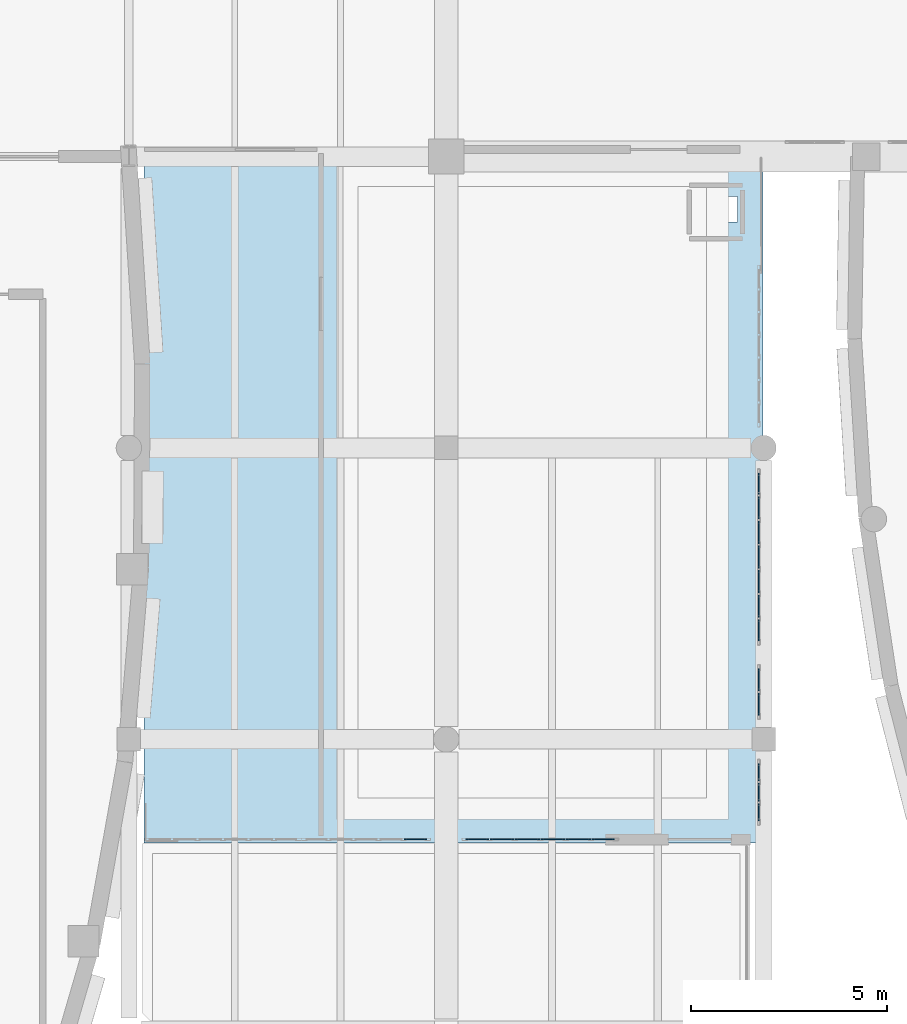
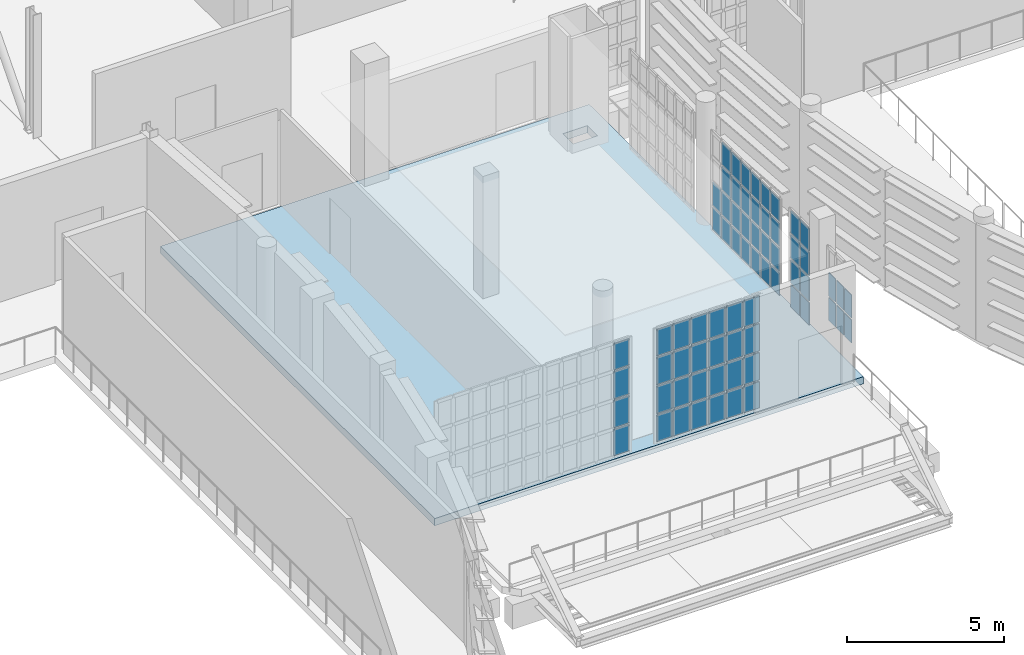
# One storey, part 73 of 104: 68 plates, 1 slab, 5 elements without a shape of their own.
"""IFC4 building model written with IfcOpenShell, lengths in metres."""

from ifc_helpers import new_model, si_unit, direction, frame, origin, origin_2d, place, context, subcontext, project, spatial, polyline, rectangle, outline, extrude, material, layer, layer_set, type_object, element, aggregate, save


model = new_model("IFC4")

# Units and contexts
model_context = context("Model", 3, precision=1e-05, world=origin(), true_north=direction((0.0, 1.0)))
body_context = subcontext(model_context, "Body", "Model", "MODEL_VIEW")
ifc_project = project(units=[si_unit("LENGTHUNIT", "METRE"), si_unit("AREAUNIT", "SQUARE_METRE"), si_unit("VOLUMEUNIT", "CUBIC_METRE"), si_unit("PLANEANGLEUNIT", "RADIAN"), si_unit("MASSUNIT", "GRAM", prefix="KILO")], contexts=[model_context])

# Site, building, storey
site_placement = place(None, origin())
site = spatial("IfcSite", under=ifc_project, at=site_placement, CompositionType="ELEMENT")
building_placement = place(site_placement, origin())
building = spatial("IfcBuilding", under=site, at=building_placement, Name="Kaelora Sail Theatre", CompositionType="ELEMENT")
storey_placement = place(building_placement, frame((0.0, 0.0, 5.39990234375)))
storey = spatial("IfcBuildingStorey", under=building, at=storey_placement, Name="L01", CompositionType="ELEMENT", Elevation=5.39990234375)

# Curtain wall, plates
ifc_material_1 = material(Name="Anodised aluminium and solar-control low-E IGU", Category="aluminium")
curtain_wall_type = type_object("IfcCurtainWallType", Name="ARC-CW-CW-FOY2", PredefinedType="NOTDEFINED", material=ifc_material_1)
curtain_wall_1_placement = place(storey_placement, origin())
curtain_wall_1 = element("IfcCurtainWall", 1, at=curtain_wall_1_placement, inside=storey, type_object=curtain_wall_type, Name="West Interstitial Sail Foyer Curtain Wall L01-02", PredefinedType="NOTDEFINED")
ifc_material_2 = material(Name="Solar-control laminated low-E glass", Category="glass")
ifc_layer_1 = layer(ifc_material_2, 0.031982421875)
ifc_layer_set_1 = layer_set([ifc_layer_1], Name="Solar-control laminated low-E glass")
plate_type = type_object("IfcPlateType", Name="ARC-CW-PNL", PredefinedType="CURTAIN_PANEL", material=ifc_layer_set_1)
plate_1_placement = place(storey_placement, frame((65.514892578125, 43.590087890625, 0.0703125), z_axis=(0.0, 0.0, 1.0), x_axis=(1.0, 0.0, 0.0)))
plate_1 = element("IfcPlate", 2, at=plate_1_placement, type_object=plate_type, Name="CW-FOY2 panel 5.1", PredefinedType="CURTAIN_PANEL", context=body_context, shape_type="SweptSolid", body=[
    extrude(rectangle(XDim=0.550048828125, YDim=0.031982421875, at=origin_2d()), origin(), (0.0, 0.0, 1.0), 1.021240234375),
])
plate_2_placement = place(storey_placement, frame((65.514892578125, 43.590087890625, 1.161376953125), z_axis=(0.0, 0.0, 1.0), x_axis=(1.0, 0.0, 0.0)))
plate_2 = element("IfcPlate", 3, at=plate_2_placement, type_object=plate_type, Name="CW-FOY2 panel 5.2", PredefinedType="CURTAIN_PANEL", context=body_context, shape_type="SweptSolid", body=[
    extrude(rectangle(XDim=0.550048828125, YDim=0.031982421875, at=origin_2d()), origin(), (0.0, 0.0, 1.0), 1.05615234375),
])
plate_3_placement = place(storey_placement, frame((65.514892578125, 43.590087890625, 2.28759765625), z_axis=(0.0, 0.0, 1.0), x_axis=(1.0, 0.0, 0.0)))
plate_3 = element("IfcPlate", 4, at=plate_3_placement, type_object=plate_type, Name="CW-FOY2 panel 5.3", PredefinedType="CURTAIN_PANEL", context=body_context, shape_type="SweptSolid", body=[
    extrude(rectangle(XDim=0.550048828125, YDim=0.031982421875, at=origin_2d()), origin(), (0.0, 0.0, 1.0), 1.056396484375),
])
plate_4_placement = place(storey_placement, frame((65.514892578125, 43.590087890625, 3.4140625), z_axis=(0.0, 0.0, 1.0), x_axis=(1.0, 0.0, 0.0)))
plate_4 = element("IfcPlate", 5, at=plate_4_placement, type_object=plate_type, Name="CW-FOY2 panel 5.4", PredefinedType="CURTAIN_PANEL", context=body_context, shape_type="SweptSolid", body=[
    extrude(rectangle(XDim=0.550048828125, YDim=0.031982421875, at=origin_2d()), origin(), (0.0, 0.0, 1.0), 1.021240234375),
])
aggregate(curtain_wall_1, [plate_1, plate_2, plate_3, plate_4])

curtain_wall_2_placement = place(storey_placement, origin())
curtain_wall_2 = element("IfcCurtainWall", 6, at=curtain_wall_2_placement, inside=storey, type_object=curtain_wall_type, Name="West Interstitial Sail Foyer Curtain Wall L01-03", PredefinedType="NOTDEFINED")
plate_5_placement = place(storey_placement, frame((67.090087890625, 43.590087890625, 0.0703125), z_axis=(0.0, 0.0, 1.0), x_axis=(1.0, 0.0, 0.0)))
plate_5 = element("IfcPlate", 7, at=plate_5_placement, type_object=plate_type, Name="CW-FOY2 panel 1.1", PredefinedType="CURTAIN_PANEL", context=body_context, shape_type="SweptSolid", body=[
    extrude(rectangle(XDim=0.56005859375, YDim=0.031982421875, at=origin_2d()), origin(), (0.0, 0.0, 1.0), 1.021240234375),
])
plate_6_placement = place(storey_placement, frame((67.090087890625, 43.590087890625, 1.161376953125), z_axis=(0.0, 0.0, 1.0), x_axis=(1.0, 0.0, 0.0)))
plate_6 = element("IfcPlate", 8, at=plate_6_placement, type_object=plate_type, Name="CW-FOY2 panel 1.2", PredefinedType="CURTAIN_PANEL", context=body_context, shape_type="SweptSolid", body=[
    extrude(rectangle(XDim=0.56005859375, YDim=0.031982421875, at=origin_2d()), origin(), (0.0, 0.0, 1.0), 1.05615234375),
])
plate_7_placement = place(storey_placement, frame((67.090087890625, 43.590087890625, 2.28759765625), z_axis=(0.0, 0.0, 1.0), x_axis=(1.0, 0.0, 0.0)))
plate_7 = element("IfcPlate", 9, at=plate_7_placement, type_object=plate_type, Name="CW-FOY2 panel 1.3", PredefinedType="CURTAIN_PANEL", context=body_context, shape_type="SweptSolid", body=[
    extrude(rectangle(XDim=0.56005859375, YDim=0.031982421875, at=origin_2d()), origin(), (0.0, 0.0, 1.0), 1.056396484375),
])
plate_8_placement = place(storey_placement, frame((67.090087890625, 43.590087890625, 3.4140625), z_axis=(0.0, 0.0, 1.0), x_axis=(1.0, 0.0, 0.0)))
plate_8 = element("IfcPlate", 10, at=plate_8_placement, type_object=plate_type, Name="CW-FOY2 panel 1.4", PredefinedType="CURTAIN_PANEL", context=body_context, shape_type="SweptSolid", body=[
    extrude(rectangle(XDim=0.56005859375, YDim=0.031982421875, at=origin_2d()), origin(), (0.0, 0.0, 1.0), 1.021240234375),
])
plate_9_placement = place(storey_placement, frame((67.72509765625, 43.590087890625, 0.0703125), z_axis=(0.0, 0.0, 1.0), x_axis=(1.0, 0.0, 0.0)))
plate_9 = element("IfcPlate", 11, at=plate_9_placement, type_object=plate_type, Name="CW-FOY2 panel 2.1", PredefinedType="CURTAIN_PANEL", context=body_context, shape_type="SweptSolid", body=[
    extrude(rectangle(XDim=0.590087890625, YDim=0.031982421875, at=origin_2d()), origin(), (0.0, 0.0, 1.0), 1.021240234375),
])
plate_10_placement = place(storey_placement, frame((67.72509765625, 43.590087890625, 1.161376953125), z_axis=(0.0, 0.0, 1.0), x_axis=(1.0, 0.0, 0.0)))
plate_10 = element("IfcPlate", 12, at=plate_10_placement, type_object=plate_type, Name="CW-FOY2 panel 2.2", PredefinedType="CURTAIN_PANEL", context=body_context, shape_type="SweptSolid", body=[
    extrude(rectangle(XDim=0.590087890625, YDim=0.031982421875, at=origin_2d()), origin(), (0.0, 0.0, 1.0), 1.05615234375),
])
plate_11_placement = place(storey_placement, frame((67.72509765625, 43.590087890625, 2.28759765625), z_axis=(0.0, 0.0, 1.0), x_axis=(1.0, 0.0, 0.0)))
plate_11 = element("IfcPlate", 13, at=plate_11_placement, type_object=plate_type, Name="CW-FOY2 panel 2.3", PredefinedType="CURTAIN_PANEL", context=body_context, shape_type="SweptSolid", body=[
    extrude(rectangle(XDim=0.590087890625, YDim=0.031982421875, at=origin_2d()), origin(), (0.0, 0.0, 1.0), 1.056396484375),
])
plate_12_placement = place(storey_placement, frame((67.72509765625, 43.590087890625, 3.4140625), z_axis=(0.0, 0.0, 1.0), x_axis=(1.0, 0.0, 0.0)))
plate_12 = element("IfcPlate", 14, at=plate_12_placement, type_object=plate_type, Name="CW-FOY2 panel 2.4", PredefinedType="CURTAIN_PANEL", context=body_context, shape_type="SweptSolid", body=[
    extrude(rectangle(XDim=0.590087890625, YDim=0.031982421875, at=origin_2d()), origin(), (0.0, 0.0, 1.0), 1.021240234375),
])
plate_13_placement = place(storey_placement, frame((68.375, 43.590087890625, 0.0703125), z_axis=(0.0, 0.0, 1.0), x_axis=(1.0, 0.0, 0.0)))
plate_13 = element("IfcPlate", 15, at=plate_13_placement, type_object=plate_type, Name="CW-FOY2 panel 3.1", PredefinedType="CURTAIN_PANEL", context=body_context, shape_type="SweptSolid", body=[
    extrude(rectangle(XDim=0.590087890625, YDim=0.031982421875, at=origin_2d()), origin(), (0.0, 0.0, 1.0), 1.021240234375),
])
plate_14_placement = place(storey_placement, frame((68.375, 43.590087890625, 1.161376953125), z_axis=(0.0, 0.0, 1.0), x_axis=(1.0, 0.0, 0.0)))
plate_14 = element("IfcPlate", 16, at=plate_14_placement, type_object=plate_type, Name="CW-FOY2 panel 3.2", PredefinedType="CURTAIN_PANEL", context=body_context, shape_type="SweptSolid", body=[
    extrude(rectangle(XDim=0.590087890625, YDim=0.031982421875, at=origin_2d()), origin(), (0.0, 0.0, 1.0), 1.05615234375),
])
plate_15_placement = place(storey_placement, frame((68.375, 43.590087890625, 2.28759765625), z_axis=(0.0, 0.0, 1.0), x_axis=(1.0, 0.0, 0.0)))
plate_15 = element("IfcPlate", 17, at=plate_15_placement, type_object=plate_type, Name="CW-FOY2 panel 3.3", PredefinedType="CURTAIN_PANEL", context=body_context, shape_type="SweptSolid", body=[
    extrude(rectangle(XDim=0.590087890625, YDim=0.031982421875, at=origin_2d()), origin(), (0.0, 0.0, 1.0), 1.056396484375),
])
plate_16_placement = place(storey_placement, frame((68.375, 43.590087890625, 3.4140625), z_axis=(0.0, 0.0, 1.0), x_axis=(1.0, 0.0, 0.0)))
plate_16 = element("IfcPlate", 18, at=plate_16_placement, type_object=plate_type, Name="CW-FOY2 panel 3.4", PredefinedType="CURTAIN_PANEL", context=body_context, shape_type="SweptSolid", body=[
    extrude(rectangle(XDim=0.590087890625, YDim=0.031982421875, at=origin_2d()), origin(), (0.0, 0.0, 1.0), 1.021240234375),
])
plate_17_placement = place(storey_placement, frame((69.02490234375, 43.590087890625, 0.0703125), z_axis=(0.0, 0.0, 1.0), x_axis=(1.0, 0.0, 0.0)))
plate_17 = element("IfcPlate", 19, at=plate_17_placement, type_object=plate_type, Name="CW-FOY2 panel 4.1", PredefinedType="CURTAIN_PANEL", context=body_context, shape_type="SweptSolid", body=[
    extrude(rectangle(XDim=0.590087890625, YDim=0.031982421875, at=origin_2d()), origin(), (0.0, 0.0, 1.0), 1.021240234375),
])
plate_18_placement = place(storey_placement, frame((69.02490234375, 43.590087890625, 1.161376953125), z_axis=(0.0, 0.0, 1.0), x_axis=(1.0, 0.0, 0.0)))
plate_18 = element("IfcPlate", 20, at=plate_18_placement, type_object=plate_type, Name="CW-FOY2 panel 4.2", PredefinedType="CURTAIN_PANEL", context=body_context, shape_type="SweptSolid", body=[
    extrude(rectangle(XDim=0.590087890625, YDim=0.031982421875, at=origin_2d()), origin(), (0.0, 0.0, 1.0), 1.05615234375),
])
plate_19_placement = place(storey_placement, frame((69.02490234375, 43.590087890625, 2.28759765625), z_axis=(0.0, 0.0, 1.0), x_axis=(1.0, 0.0, 0.0)))
plate_19 = element("IfcPlate", 21, at=plate_19_placement, type_object=plate_type, Name="CW-FOY2 panel 4.3", PredefinedType="CURTAIN_PANEL", context=body_context, shape_type="SweptSolid", body=[
    extrude(rectangle(XDim=0.590087890625, YDim=0.031982421875, at=origin_2d()), origin(), (0.0, 0.0, 1.0), 1.056396484375),
])
plate_20_placement = place(storey_placement, frame((69.02490234375, 43.590087890625, 3.4140625), z_axis=(0.0, 0.0, 1.0), x_axis=(1.0, 0.0, 0.0)))
plate_20 = element("IfcPlate", 22, at=plate_20_placement, type_object=plate_type, Name="CW-FOY2 panel 4.4", PredefinedType="CURTAIN_PANEL", context=body_context, shape_type="SweptSolid", body=[
    extrude(rectangle(XDim=0.590087890625, YDim=0.031982421875, at=origin_2d()), origin(), (0.0, 0.0, 1.0), 1.021240234375),
])
plate_21_placement = place(storey_placement, frame((69.675048828125, 43.590087890625, 0.0703125), z_axis=(0.0, 0.0, 1.0), x_axis=(1.0, 0.0, 0.0)))
plate_21 = element("IfcPlate", 23, at=plate_21_placement, type_object=plate_type, Name="CW-FOY2 panel 5.1", PredefinedType="CURTAIN_PANEL", context=body_context, shape_type="SweptSolid", body=[
    extrude(rectangle(XDim=0.590087890625, YDim=0.031982421875, at=origin_2d()), origin(), (0.0, 0.0, 1.0), 1.021240234375),
])
plate_22_placement = place(storey_placement, frame((69.675048828125, 43.590087890625, 1.161376953125), z_axis=(0.0, 0.0, 1.0), x_axis=(1.0, 0.0, 0.0)))
plate_22 = element("IfcPlate", 24, at=plate_22_placement, type_object=plate_type, Name="CW-FOY2 panel 5.2", PredefinedType="CURTAIN_PANEL", context=body_context, shape_type="SweptSolid", body=[
    extrude(rectangle(XDim=0.590087890625, YDim=0.031982421875, at=origin_2d()), origin(), (0.0, 0.0, 1.0), 1.05615234375),
])
plate_23_placement = place(storey_placement, frame((69.675048828125, 43.590087890625, 2.28759765625), z_axis=(0.0, 0.0, 1.0), x_axis=(1.0, 0.0, 0.0)))
plate_23 = element("IfcPlate", 25, at=plate_23_placement, type_object=plate_type, Name="CW-FOY2 panel 5.3", PredefinedType="CURTAIN_PANEL", context=body_context, shape_type="SweptSolid", body=[
    extrude(rectangle(XDim=0.590087890625, YDim=0.031982421875, at=origin_2d()), origin(), (0.0, 0.0, 1.0), 1.056396484375),
])
plate_24_placement = place(storey_placement, frame((69.675048828125, 43.590087890625, 3.4140625), z_axis=(0.0, 0.0, 1.0), x_axis=(1.0, 0.0, 0.0)))
plate_24 = element("IfcPlate", 26, at=plate_24_placement, type_object=plate_type, Name="CW-FOY2 panel 5.4", PredefinedType="CURTAIN_PANEL", context=body_context, shape_type="SweptSolid", body=[
    extrude(rectangle(XDim=0.590087890625, YDim=0.031982421875, at=origin_2d()), origin(), (0.0, 0.0, 1.0), 1.021240234375),
])
plate_25_placement = place(storey_placement, frame((70.31005859375, 43.590087890625, 0.0703125), z_axis=(0.0, 0.0, 1.0), x_axis=(1.0, 0.0, 0.0)))
plate_25 = element("IfcPlate", 27, at=plate_25_placement, type_object=plate_type, Name="CW-FOY2 panel 6.1", PredefinedType="CURTAIN_PANEL", context=body_context, shape_type="SweptSolid", body=[
    extrude(rectangle(XDim=0.56005859375, YDim=0.031982421875, at=origin_2d()), origin(), (0.0, 0.0, 1.0), 1.021240234375),
])
plate_26_placement = place(storey_placement, frame((70.31005859375, 43.590087890625, 1.161376953125), z_axis=(0.0, 0.0, 1.0), x_axis=(1.0, 0.0, 0.0)))
plate_26 = element("IfcPlate", 28, at=plate_26_placement, type_object=plate_type, Name="CW-FOY2 panel 6.2", PredefinedType="CURTAIN_PANEL", context=body_context, shape_type="SweptSolid", body=[
    extrude(rectangle(XDim=0.56005859375, YDim=0.031982421875, at=origin_2d()), origin(), (0.0, 0.0, 1.0), 1.05615234375),
])
plate_27_placement = place(storey_placement, frame((70.31005859375, 43.590087890625, 2.28759765625), z_axis=(0.0, 0.0, 1.0), x_axis=(1.0, 0.0, 0.0)))
plate_27 = element("IfcPlate", 29, at=plate_27_placement, type_object=plate_type, Name="CW-FOY2 panel 6.3", PredefinedType="CURTAIN_PANEL", context=body_context, shape_type="SweptSolid", body=[
    extrude(rectangle(XDim=0.56005859375, YDim=0.031982421875, at=origin_2d()), origin(), (0.0, 0.0, 1.0), 1.056396484375),
])
plate_28_placement = place(storey_placement, frame((70.31005859375, 43.590087890625, 3.4140625), z_axis=(0.0, 0.0, 1.0), x_axis=(1.0, 0.0, 0.0)))
plate_28 = element("IfcPlate", 30, at=plate_28_placement, type_object=plate_type, Name="CW-FOY2 panel 6.4", PredefinedType="CURTAIN_PANEL", context=body_context, shape_type="SweptSolid", body=[
    extrude(rectangle(XDim=0.56005859375, YDim=0.031982421875, at=origin_2d()), origin(), (0.0, 0.0, 1.0), 1.021240234375),
])
aggregate(curtain_wall_2, [plate_5, plate_6, plate_7, plate_8, plate_9, plate_10, plate_11, plate_12, plate_13, plate_14, plate_15, plate_16, plate_17, plate_18, plate_19, plate_20, plate_21, plate_22, plate_23, plate_24, plate_25, plate_26, plate_27, plate_28])

curtain_wall_3_placement = place(storey_placement, origin())
curtain_wall_3 = element("IfcCurtainWall", 31, at=curtain_wall_3_placement, inside=storey, type_object=curtain_wall_type, Name="West Interstitial Foyer East Glazed Return L01-01", PredefinedType="NOTDEFINED")
plate_29_placement = place(storey_placement, frame((74.280029296875, 44.2783203125, 1.0068359375), z_axis=(0.0, 0.0, 1.0), x_axis=(0.0, 1.0, 0.0)))
plate_29 = element("IfcPlate", 32, at=plate_29_placement, type_object=plate_type, Name="CW-FOY2 panel 1.2", PredefinedType="CURTAIN_PANEL", context=body_context, shape_type="SweptSolid", body=[
    extrude(rectangle(XDim=0.436767578125, YDim=0.031982421875, at=origin_2d()), origin(), (0.0, 0.0, 1.0), 0.901611328125),
])
plate_30_placement = place(storey_placement, frame((74.280029296875, 44.2783203125, 1.978515625), z_axis=(0.0, 0.0, 1.0), x_axis=(0.0, 1.0, 0.0)))
plate_30 = element("IfcPlate", 33, at=plate_30_placement, type_object=plate_type, Name="CW-FOY2 panel 1.3", PredefinedType="CURTAIN_PANEL", context=body_context, shape_type="SweptSolid", body=[
    extrude(rectangle(XDim=0.436767578125, YDim=0.031982421875, at=origin_2d()), origin(), (0.0, 0.0, 1.0), 0.90185546875),
])
plate_31_placement = place(storey_placement, frame((74.280029296875, 44.7900390625, 1.0068359375), z_axis=(0.0, 0.0, 1.0), x_axis=(0.0, 1.0, 0.0)))
plate_31 = element("IfcPlate", 34, at=plate_31_placement, type_object=plate_type, Name="CW-FOY2 panel 2.2", PredefinedType="CURTAIN_PANEL", context=body_context, shape_type="SweptSolid", body=[
    extrude(rectangle(XDim=0.466552734375, YDim=0.031982421875, at=origin_2d()), origin(), (0.0, 0.0, 1.0), 0.901611328125),
])
plate_32_placement = place(storey_placement, frame((74.280029296875, 44.7900390625, 1.978515625), z_axis=(0.0, 0.0, 1.0), x_axis=(0.0, 1.0, 0.0)))
plate_32 = element("IfcPlate", 35, at=plate_32_placement, type_object=plate_type, Name="CW-FOY2 panel 2.3", PredefinedType="CURTAIN_PANEL", context=body_context, shape_type="SweptSolid", body=[
    extrude(rectangle(XDim=0.466552734375, YDim=0.031982421875, at=origin_2d()), origin(), (0.0, 0.0, 1.0), 0.90185546875),
])
plate_33_placement = place(storey_placement, frame((74.280029296875, 45.3017578125, 1.0068359375), z_axis=(0.0, 0.0, 1.0), x_axis=(0.0, 1.0, 0.0)))
plate_33 = element("IfcPlate", 36, at=plate_33_placement, type_object=plate_type, Name="CW-FOY2 panel 3.2", PredefinedType="CURTAIN_PANEL", context=body_context, shape_type="SweptSolid", body=[
    extrude(rectangle(XDim=0.436767578125, YDim=0.031982421875, at=origin_2d()), origin(), (0.0, 0.0, 1.0), 0.901611328125),
])
plate_34_placement = place(storey_placement, frame((74.280029296875, 45.3017578125, 1.978515625), z_axis=(0.0, 0.0, 1.0), x_axis=(0.0, 1.0, 0.0)))
plate_34 = element("IfcPlate", 37, at=plate_34_placement, type_object=plate_type, Name="CW-FOY2 panel 3.3", PredefinedType="CURTAIN_PANEL", context=body_context, shape_type="SweptSolid", body=[
    extrude(rectangle(XDim=0.436767578125, YDim=0.031982421875, at=origin_2d()), origin(), (0.0, 0.0, 1.0), 0.90185546875),
])
aggregate(curtain_wall_3, [plate_29, plate_30, plate_31, plate_32, plate_33, plate_34])

curtain_wall_4_placement = place(storey_placement, origin())
curtain_wall_4 = element("IfcCurtainWall", 38, at=curtain_wall_4_placement, inside=storey, type_object=curtain_wall_type, Name="West Interstitial Foyer East Glazed Return L01-01", PredefinedType="NOTDEFINED")
plate_35_placement = place(storey_placement, frame((74.280029296875, 47.0400390625, 0.070068359375), z_axis=(0.0, 0.0, 1.0), x_axis=(0.0, 1.0, 0.0)))
plate_35 = element("IfcPlate", 39, at=plate_35_placement, type_object=plate_type, Name="CW-FOY2 panel 1.1", PredefinedType="CURTAIN_PANEL", context=body_context, shape_type="SweptSolid", body=[
    extrude(rectangle(XDim=0.56005859375, YDim=0.031982421875, at=origin_2d()), origin(), (0.0, 0.0, 1.0), 0.86669921875),
])
plate_36_placement = place(storey_placement, frame((74.280029296875, 47.0400390625, 1.0068359375), z_axis=(0.0, 0.0, 1.0), x_axis=(0.0, 1.0, 0.0)))
plate_36 = element("IfcPlate", 40, at=plate_36_placement, type_object=plate_type, Name="CW-FOY2 panel 1.2", PredefinedType="CURTAIN_PANEL", context=body_context, shape_type="SweptSolid", body=[
    extrude(rectangle(XDim=0.56005859375, YDim=0.031982421875, at=origin_2d()), origin(), (0.0, 0.0, 1.0), 0.901611328125),
])
plate_37_placement = place(storey_placement, frame((74.280029296875, 47.0400390625, 1.978515625), z_axis=(0.0, 0.0, 1.0), x_axis=(0.0, 1.0, 0.0)))
plate_37 = element("IfcPlate", 41, at=plate_37_placement, type_object=plate_type, Name="CW-FOY2 panel 1.3", PredefinedType="CURTAIN_PANEL", context=body_context, shape_type="SweptSolid", body=[
    extrude(rectangle(XDim=0.56005859375, YDim=0.031982421875, at=origin_2d()), origin(), (0.0, 0.0, 1.0), 0.90185546875),
])
plate_38_placement = place(storey_placement, frame((74.280029296875, 47.0400390625, 2.950439453125), z_axis=(0.0, 0.0, 1.0), x_axis=(0.0, 1.0, 0.0)))
plate_38 = element("IfcPlate", 42, at=plate_38_placement, type_object=plate_type, Name="CW-FOY2 panel 1.4", PredefinedType="CURTAIN_PANEL", context=body_context, shape_type="SweptSolid", body=[
    extrude(rectangle(XDim=0.56005859375, YDim=0.031982421875, at=origin_2d()), origin(), (0.0, 0.0, 1.0), 0.86669921875),
])
plate_39_placement = place(storey_placement, frame((74.280029296875, 47.659912109375, 0.070068359375), z_axis=(0.0, 0.0, 1.0), x_axis=(0.0, 1.0, 0.0)))
plate_39 = element("IfcPlate", 43, at=plate_39_placement, type_object=plate_type, Name="CW-FOY2 panel 2.1", PredefinedType="CURTAIN_PANEL", context=body_context, shape_type="SweptSolid", body=[
    extrude(rectangle(XDim=0.56005859375, YDim=0.031982421875, at=origin_2d()), origin(), (0.0, 0.0, 1.0), 0.86669921875),
])
plate_40_placement = place(storey_placement, frame((74.280029296875, 47.659912109375, 1.0068359375), z_axis=(0.0, 0.0, 1.0), x_axis=(0.0, 1.0, 0.0)))
plate_40 = element("IfcPlate", 44, at=plate_40_placement, type_object=plate_type, Name="CW-FOY2 panel 2.2", PredefinedType="CURTAIN_PANEL", context=body_context, shape_type="SweptSolid", body=[
    extrude(rectangle(XDim=0.56005859375, YDim=0.031982421875, at=origin_2d()), origin(), (0.0, 0.0, 1.0), 0.901611328125),
])
plate_41_placement = place(storey_placement, frame((74.280029296875, 47.659912109375, 1.978515625), z_axis=(0.0, 0.0, 1.0), x_axis=(0.0, 1.0, 0.0)))
plate_41 = element("IfcPlate", 45, at=plate_41_placement, type_object=plate_type, Name="CW-FOY2 panel 2.3", PredefinedType="CURTAIN_PANEL", context=body_context, shape_type="SweptSolid", body=[
    extrude(rectangle(XDim=0.56005859375, YDim=0.031982421875, at=origin_2d()), origin(), (0.0, 0.0, 1.0), 0.90185546875),
])
plate_42_placement = place(storey_placement, frame((74.280029296875, 47.659912109375, 2.950439453125), z_axis=(0.0, 0.0, 1.0), x_axis=(0.0, 1.0, 0.0)))
plate_42 = element("IfcPlate", 46, at=plate_42_placement, type_object=plate_type, Name="CW-FOY2 panel 2.4", PredefinedType="CURTAIN_PANEL", context=body_context, shape_type="SweptSolid", body=[
    extrude(rectangle(XDim=0.56005859375, YDim=0.031982421875, at=origin_2d()), origin(), (0.0, 0.0, 1.0), 0.86669921875),
])
aggregate(curtain_wall_4, [plate_35, plate_36, plate_37, plate_38, plate_39, plate_40, plate_41, plate_42])

curtain_wall_5_placement = place(storey_placement, origin())
curtain_wall_5 = element("IfcCurtainWall", 47, at=curtain_wall_5_placement, inside=storey, type_object=curtain_wall_type, Name="West Interstitial Foyer East Glazed Return L01-02", PredefinedType="NOTDEFINED")
plate_43_placement = place(storey_placement, frame((74.280029296875, 48.928955078125, 0.070068359375), z_axis=(0.0, 0.0, 1.0), x_axis=(0.0, 1.0, 0.0)))
plate_43 = element("IfcPlate", 48, at=plate_43_placement, type_object=plate_type, Name="CW-FOY2 panel 1.1", PredefinedType="CURTAIN_PANEL", context=body_context, shape_type="SweptSolid", body=[
    extrude(rectangle(XDim=0.537841796875, YDim=0.031982421875, at=origin_2d()), origin(), (0.0, 0.0, 1.0), 0.86669921875),
])
plate_44_placement = place(storey_placement, frame((74.280029296875, 48.928955078125, 1.0068359375), z_axis=(0.0, 0.0, 1.0), x_axis=(0.0, 1.0, 0.0)))
plate_44 = element("IfcPlate", 49, at=plate_44_placement, type_object=plate_type, Name="CW-FOY2 panel 1.2", PredefinedType="CURTAIN_PANEL", context=body_context, shape_type="SweptSolid", body=[
    extrude(rectangle(XDim=0.537841796875, YDim=0.031982421875, at=origin_2d()), origin(), (0.0, 0.0, 1.0), 0.901611328125),
])
plate_45_placement = place(storey_placement, frame((74.280029296875, 48.928955078125, 1.978515625), z_axis=(0.0, 0.0, 1.0), x_axis=(0.0, 1.0, 0.0)))
plate_45 = element("IfcPlate", 50, at=plate_45_placement, type_object=plate_type, Name="CW-FOY2 panel 1.3", PredefinedType="CURTAIN_PANEL", context=body_context, shape_type="SweptSolid", body=[
    extrude(rectangle(XDim=0.537841796875, YDim=0.031982421875, at=origin_2d()), origin(), (0.0, 0.0, 1.0), 0.90185546875),
])
plate_46_placement = place(storey_placement, frame((74.280029296875, 48.928955078125, 2.950439453125), z_axis=(0.0, 0.0, 1.0), x_axis=(0.0, 1.0, 0.0)))
plate_46 = element("IfcPlate", 51, at=plate_46_placement, type_object=plate_type, Name="CW-FOY2 panel 1.4", PredefinedType="CURTAIN_PANEL", context=body_context, shape_type="SweptSolid", body=[
    extrude(rectangle(XDim=0.537841796875, YDim=0.031982421875, at=origin_2d()), origin(), (0.0, 0.0, 1.0), 0.86669921875),
])
plate_47_placement = place(storey_placement, frame((74.280029296875, 49.541748046875, 0.070068359375), z_axis=(0.0, 0.0, 1.0), x_axis=(0.0, 1.0, 0.0)))
plate_47 = element("IfcPlate", 52, at=plate_47_placement, type_object=plate_type, Name="CW-FOY2 panel 2.1", PredefinedType="CURTAIN_PANEL", context=body_context, shape_type="SweptSolid", body=[
    extrude(rectangle(XDim=0.56787109375, YDim=0.031982421875, at=origin_2d()), origin(), (0.0, 0.0, 1.0), 0.86669921875),
])
plate_48_placement = place(storey_placement, frame((74.280029296875, 49.541748046875, 1.0068359375), z_axis=(0.0, 0.0, 1.0), x_axis=(0.0, 1.0, 0.0)))
plate_48 = element("IfcPlate", 53, at=plate_48_placement, type_object=plate_type, Name="CW-FOY2 panel 2.2", PredefinedType="CURTAIN_PANEL", context=body_context, shape_type="SweptSolid", body=[
    extrude(rectangle(XDim=0.56787109375, YDim=0.031982421875, at=origin_2d()), origin(), (0.0, 0.0, 1.0), 0.901611328125),
])
plate_49_placement = place(storey_placement, frame((74.280029296875, 49.541748046875, 1.978515625), z_axis=(0.0, 0.0, 1.0), x_axis=(0.0, 1.0, 0.0)))
plate_49 = element("IfcPlate", 54, at=plate_49_placement, type_object=plate_type, Name="CW-FOY2 panel 2.3", PredefinedType="CURTAIN_PANEL", context=body_context, shape_type="SweptSolid", body=[
    extrude(rectangle(XDim=0.56787109375, YDim=0.031982421875, at=origin_2d()), origin(), (0.0, 0.0, 1.0), 0.90185546875),
])
plate_50_placement = place(storey_placement, frame((74.280029296875, 49.541748046875, 2.950439453125), z_axis=(0.0, 0.0, 1.0), x_axis=(0.0, 1.0, 0.0)))
plate_50 = element("IfcPlate", 55, at=plate_50_placement, type_object=plate_type, Name="CW-FOY2 panel 2.4", PredefinedType="CURTAIN_PANEL", context=body_context, shape_type="SweptSolid", body=[
    extrude(rectangle(XDim=0.56787109375, YDim=0.031982421875, at=origin_2d()), origin(), (0.0, 0.0, 1.0), 0.86669921875),
])
plate_51_placement = place(storey_placement, frame((74.280029296875, 50.169677734375, 0.070068359375), z_axis=(0.0, 0.0, 1.0), x_axis=(0.0, 1.0, 0.0)))
plate_51 = element("IfcPlate", 56, at=plate_51_placement, type_object=plate_type, Name="CW-FOY2 panel 3.1", PredefinedType="CURTAIN_PANEL", context=body_context, shape_type="SweptSolid", body=[
    extrude(rectangle(XDim=0.56787109375, YDim=0.031982421875, at=origin_2d()), origin(), (0.0, 0.0, 1.0), 0.86669921875),
])
plate_52_placement = place(storey_placement, frame((74.280029296875, 50.169677734375, 1.0068359375), z_axis=(0.0, 0.0, 1.0), x_axis=(0.0, 1.0, 0.0)))
plate_52 = element("IfcPlate", 57, at=plate_52_placement, type_object=plate_type, Name="CW-FOY2 panel 3.2", PredefinedType="CURTAIN_PANEL", context=body_context, shape_type="SweptSolid", body=[
    extrude(rectangle(XDim=0.56787109375, YDim=0.031982421875, at=origin_2d()), origin(), (0.0, 0.0, 1.0), 0.901611328125),
])
plate_53_placement = place(storey_placement, frame((74.280029296875, 50.169677734375, 1.978515625), z_axis=(0.0, 0.0, 1.0), x_axis=(0.0, 1.0, 0.0)))
plate_53 = element("IfcPlate", 58, at=plate_53_placement, type_object=plate_type, Name="CW-FOY2 panel 3.3", PredefinedType="CURTAIN_PANEL", context=body_context, shape_type="SweptSolid", body=[
    extrude(rectangle(XDim=0.56787109375, YDim=0.031982421875, at=origin_2d()), origin(), (0.0, 0.0, 1.0), 0.90185546875),
])
plate_54_placement = place(storey_placement, frame((74.280029296875, 50.169677734375, 2.950439453125), z_axis=(0.0, 0.0, 1.0), x_axis=(0.0, 1.0, 0.0)))
plate_54 = element("IfcPlate", 59, at=plate_54_placement, type_object=plate_type, Name="CW-FOY2 panel 3.4", PredefinedType="CURTAIN_PANEL", context=body_context, shape_type="SweptSolid", body=[
    extrude(rectangle(XDim=0.56787109375, YDim=0.031982421875, at=origin_2d()), origin(), (0.0, 0.0, 1.0), 0.86669921875),
])
plate_55_placement = place(storey_placement, frame((74.280029296875, 50.797607421875, 0.070068359375), z_axis=(0.0, 0.0, 1.0), x_axis=(0.0, 1.0, 0.0)))
plate_55 = element("IfcPlate", 60, at=plate_55_placement, type_object=plate_type, Name="CW-FOY2 panel 4.1", PredefinedType="CURTAIN_PANEL", context=body_context, shape_type="SweptSolid", body=[
    extrude(rectangle(XDim=0.56787109375, YDim=0.031982421875, at=origin_2d()), origin(), (0.0, 0.0, 1.0), 0.86669921875),
])
plate_56_placement = place(storey_placement, frame((74.280029296875, 50.797607421875, 1.0068359375), z_axis=(0.0, 0.0, 1.0), x_axis=(0.0, 1.0, 0.0)))
plate_56 = element("IfcPlate", 61, at=plate_56_placement, type_object=plate_type, Name="CW-FOY2 panel 4.2", PredefinedType="CURTAIN_PANEL", context=body_context, shape_type="SweptSolid", body=[
    extrude(rectangle(XDim=0.56787109375, YDim=0.031982421875, at=origin_2d()), origin(), (0.0, 0.0, 1.0), 0.901611328125),
])
plate_57_placement = place(storey_placement, frame((74.280029296875, 50.797607421875, 1.978515625), z_axis=(0.0, 0.0, 1.0), x_axis=(0.0, 1.0, 0.0)))
plate_57 = element("IfcPlate", 62, at=plate_57_placement, type_object=plate_type, Name="CW-FOY2 panel 4.3", PredefinedType="CURTAIN_PANEL", context=body_context, shape_type="SweptSolid", body=[
    extrude(rectangle(XDim=0.56787109375, YDim=0.031982421875, at=origin_2d()), origin(), (0.0, 0.0, 1.0), 0.90185546875),
])
plate_58_placement = place(storey_placement, frame((74.280029296875, 50.797607421875, 2.950439453125), z_axis=(0.0, 0.0, 1.0), x_axis=(0.0, 1.0, 0.0)))
plate_58 = element("IfcPlate", 63, at=plate_58_placement, type_object=plate_type, Name="CW-FOY2 panel 4.4", PredefinedType="CURTAIN_PANEL", context=body_context, shape_type="SweptSolid", body=[
    extrude(rectangle(XDim=0.56787109375, YDim=0.031982421875, at=origin_2d()), origin(), (0.0, 0.0, 1.0), 0.86669921875),
])
plate_59_placement = place(storey_placement, frame((74.280029296875, 51.42529296875, 0.070068359375), z_axis=(0.0, 0.0, 1.0), x_axis=(0.0, 1.0, 0.0)))
plate_59 = element("IfcPlate", 64, at=plate_59_placement, type_object=plate_type, Name="CW-FOY2 panel 5.1", PredefinedType="CURTAIN_PANEL", context=body_context, shape_type="SweptSolid", body=[
    extrude(rectangle(XDim=0.56787109375, YDim=0.031982421875, at=origin_2d()), origin(), (0.0, 0.0, 1.0), 0.86669921875),
])
plate_60_placement = place(storey_placement, frame((74.280029296875, 51.42529296875, 1.0068359375), z_axis=(0.0, 0.0, 1.0), x_axis=(0.0, 1.0, 0.0)))
plate_60 = element("IfcPlate", 65, at=plate_60_placement, type_object=plate_type, Name="CW-FOY2 panel 5.2", PredefinedType="CURTAIN_PANEL", context=body_context, shape_type="SweptSolid", body=[
    extrude(rectangle(XDim=0.56787109375, YDim=0.031982421875, at=origin_2d()), origin(), (0.0, 0.0, 1.0), 0.901611328125),
])
plate_61_placement = place(storey_placement, frame((74.280029296875, 51.42529296875, 1.978515625), z_axis=(0.0, 0.0, 1.0), x_axis=(0.0, 1.0, 0.0)))
plate_61 = element("IfcPlate", 66, at=plate_61_placement, type_object=plate_type, Name="CW-FOY2 panel 5.3", PredefinedType="CURTAIN_PANEL", context=body_context, shape_type="SweptSolid", body=[
    extrude(rectangle(XDim=0.56787109375, YDim=0.031982421875, at=origin_2d()), origin(), (0.0, 0.0, 1.0), 0.90185546875),
])
plate_62_placement = place(storey_placement, frame((74.280029296875, 51.42529296875, 2.950439453125), z_axis=(0.0, 0.0, 1.0), x_axis=(0.0, 1.0, 0.0)))
plate_62 = element("IfcPlate", 67, at=plate_62_placement, type_object=plate_type, Name="CW-FOY2 panel 5.4", PredefinedType="CURTAIN_PANEL", context=body_context, shape_type="SweptSolid", body=[
    extrude(rectangle(XDim=0.56787109375, YDim=0.031982421875, at=origin_2d()), origin(), (0.0, 0.0, 1.0), 0.86669921875),
])
plate_63_placement = place(storey_placement, frame((74.280029296875, 52.05322265625, 0.070068359375), z_axis=(0.0, 0.0, 1.0), x_axis=(0.0, 1.0, 0.0)))
plate_63 = element("IfcPlate", 68, at=plate_63_placement, type_object=plate_type, Name="CW-FOY2 panel 6.1", PredefinedType="CURTAIN_PANEL", context=body_context, shape_type="SweptSolid", body=[
    extrude(rectangle(XDim=0.56787109375, YDim=0.031982421875, at=origin_2d()), origin(), (0.0, 0.0, 1.0), 0.86669921875),
])
plate_64_placement = place(storey_placement, frame((74.280029296875, 52.05322265625, 1.0068359375), z_axis=(0.0, 0.0, 1.0), x_axis=(0.0, 1.0, 0.0)))
plate_64 = element("IfcPlate", 69, at=plate_64_placement, type_object=plate_type, Name="CW-FOY2 panel 6.2", PredefinedType="CURTAIN_PANEL", context=body_context, shape_type="SweptSolid", body=[
    extrude(rectangle(XDim=0.56787109375, YDim=0.031982421875, at=origin_2d()), origin(), (0.0, 0.0, 1.0), 0.901611328125),
])
plate_65_placement = place(storey_placement, frame((74.280029296875, 52.05322265625, 1.978515625), z_axis=(0.0, 0.0, 1.0), x_axis=(0.0, 1.0, 0.0)))
plate_65 = element("IfcPlate", 70, at=plate_65_placement, type_object=plate_type, Name="CW-FOY2 panel 6.3", PredefinedType="CURTAIN_PANEL", context=body_context, shape_type="SweptSolid", body=[
    extrude(rectangle(XDim=0.56787109375, YDim=0.031982421875, at=origin_2d()), origin(), (0.0, 0.0, 1.0), 0.90185546875),
])
plate_66_placement = place(storey_placement, frame((74.280029296875, 52.05322265625, 2.950439453125), z_axis=(0.0, 0.0, 1.0), x_axis=(0.0, 1.0, 0.0)))
plate_66 = element("IfcPlate", 71, at=plate_66_placement, type_object=plate_type, Name="CW-FOY2 panel 6.4", PredefinedType="CURTAIN_PANEL", context=body_context, shape_type="SweptSolid", body=[
    extrude(rectangle(XDim=0.56787109375, YDim=0.031982421875, at=origin_2d()), origin(), (0.0, 0.0, 1.0), 0.86669921875),
])
plate_67_placement = place(storey_placement, frame((74.280029296875, 52.666015625, 0.070068359375), z_axis=(0.0, 0.0, 1.0), x_axis=(0.0, 1.0, 0.0)))
plate_67 = element("IfcPlate", 72, at=plate_67_placement, type_object=plate_type, Name="CW-FOY2 panel 7.1", PredefinedType="CURTAIN_PANEL", context=body_context, shape_type="SweptSolid", body=[
    extrude(rectangle(XDim=0.537841796875, YDim=0.031982421875, at=origin_2d()), origin(), (0.0, 0.0, 1.0), 0.86669921875),
])
plate_68_placement = place(storey_placement, frame((74.280029296875, 52.666015625, 1.0068359375), z_axis=(0.0, 0.0, 1.0), x_axis=(0.0, 1.0, 0.0)))
plate_68 = element("IfcPlate", 73, at=plate_68_placement, type_object=plate_type, Name="CW-FOY2 panel 7.2", PredefinedType="CURTAIN_PANEL", context=body_context, shape_type="SweptSolid", body=[
    extrude(rectangle(XDim=0.537841796875, YDim=0.031982421875, at=origin_2d()), origin(), (0.0, 0.0, 1.0), 0.901611328125),
])
aggregate(curtain_wall_5, [plate_43, plate_44, plate_45, plate_46, plate_47, plate_48, plate_49, plate_50, plate_51, plate_52, plate_53, plate_54, plate_55, plate_56, plate_57, plate_58, plate_59, plate_60, plate_61, plate_62, plate_63, plate_64, plate_65, plate_66, plate_67, plate_68])

# Slab
ifc_material_3 = material(Name="Concrete C40/50", Category="concrete")
ifc_layer_2 = layer(ifc_material_3, 0.280029296875)
ifc_layer_set_2 = layer_set([ifc_layer_2], Name="Concrete C40/50")
slab_type = type_object("IfcSlabType", Name="STR-SLB-SL-FL280", PredefinedType="FLOOR", material=ifc_layer_set_2)
slab_placement = place(storey_placement, frame((0.0, 0.0, -0.27978515625)))
element("IfcSlab", 74, at=slab_placement, inside=storey, type_object=slab_type, Name="Glazed Foyer floor slab FI-WEST (L01)", PredefinedType="FLOOR", context=body_context, shape_type="SweptSolid", body=[
    extrude(outline(polyline([(58.580078125, 43.5), (74.385009765625, 43.5), (74.385009765625, 61.0048828125), (58.580078125, 61.0048828125), (58.580078125, 43.5)]), holes=[polyline([(72.8349609375, 59.35498046875), (73.735107421875, 59.35498046875), (73.735107421875, 60.0048828125), (72.8349609375, 60.0048828125), (72.8349609375, 59.35498046875)])]), origin(), (0.0, 0.0, 1.0), 0.27978515625),
])

save(model, "model.ifc")
